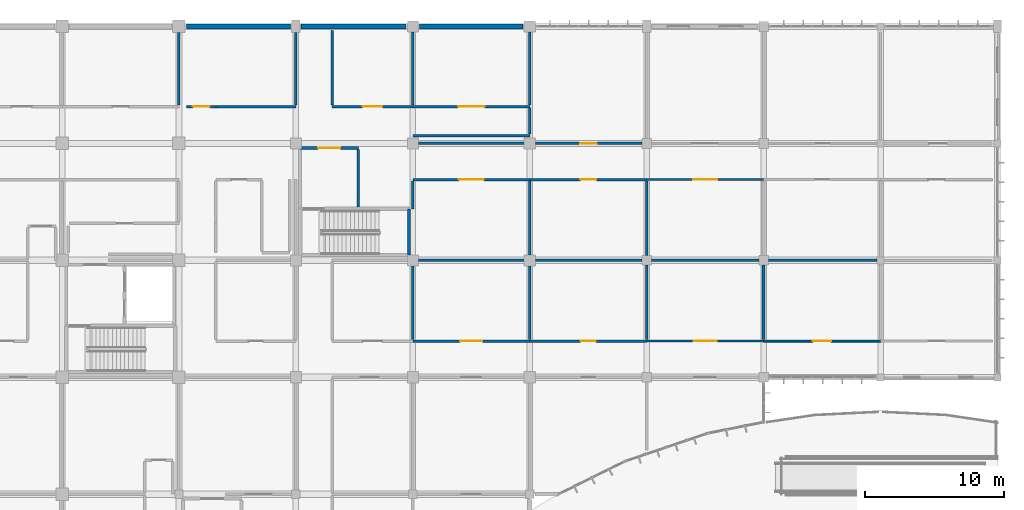
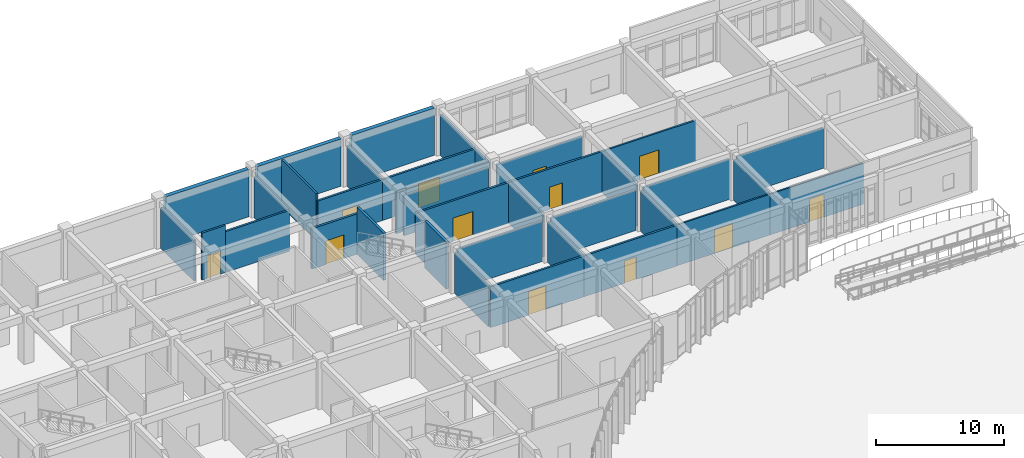
# One storey, part 111 of 138: 37 walls, 12 doors, 12 openings.
"""IFC4 building model written with IfcOpenShell, lengths in metres."""

import ifcopenshell
import ifcopenshell.guid

model = None  # the IFC model being written
_history = None  # IfcOwnerHistory: only IFC2X3 demands one
_inside = {}  # id of a spatial element -> (the spatial element, [elements in it])
_under = {}  # id of a project, library or spatial element -> (it, [spatial elements below it])
_declared = {}  # id of a project -> (the project, [libraries it declares])
_typed = {}  # id of a type object -> (the type object, [elements of that type])
_made_of = {}  # id of a material, layer set ... -> (it, [elements and type objects made of it])


def new_model(schema):
    """Start an empty IFC model of exactly this schema.

    Asked for "IFC4X3", IfcOpenShell would pick the latest addendum, in which some entities
    have other attributes; the version numbers below select the first issue.
    IFC2X3 requires an IfcOwnerHistory on every rooted entity: one is made here for all.
    """
    global model, _history
    if schema == "IFC4X3":
        model = ifcopenshell.file(schema_version=(4, 3, 0, 0))
    else:
        model = ifcopenshell.file(schema=schema)
    _inside.clear()
    _under.clear()
    _declared.clear()
    _typed.clear()
    _made_of.clear()
    _history = None
    if model.schema == "IFC2X3":
        org = make("IfcOrganization", Name="unknown")
        user = make(
            "IfcPersonAndOrganization",
            ThePerson=make("IfcPerson", FamilyName="unknown"),
            TheOrganization=org,
        )
        app = make(
            "IfcApplication",
            ApplicationDeveloper=org,
            Version="unknown",
            ApplicationFullName="unknown",
            ApplicationIdentifier="unknown",
        )
        _history = make(
            "IfcOwnerHistory",
            OwningUser=user,
            OwningApplication=app,
            ChangeAction="ADDED",
            CreationDate=0,
        )
    return model


def make(cls, **values):
    """One entity of the class cls with the attributes given. An attribute that is None is left unset."""
    return model.create_entity(
        cls, **{name: value for name, value in values.items() if value is not None}
    )


def rooted(cls, **values):
    """An entity with a GlobalId (a new one), such as an element, a storey or a relation."""
    return make(cls, GlobalId=ifcopenshell.guid.new(), OwnerHistory=_history, **values)


def si_unit(unit_type, name, prefix=None):
    """IfcSIUnit, for example si_unit("LENGTHUNIT", "METRE", prefix="MILLI")."""
    return make("IfcSIUnit", UnitType=unit_type, Prefix=prefix, Name=name)


def assignment(units):
    """IfcUnitAssignment: the units of a project."""
    return None if units is None else make("IfcUnitAssignment", Units=units)


def point(xyz):
    """IfcCartesianPoint."""
    return None if xyz is None else make("IfcCartesianPoint", Coordinates=xyz)


def direction(xyz):
    """IfcDirection."""
    return None if xyz is None else make("IfcDirection", DirectionRatios=xyz)


def frame(location, z_axis=None, x_axis=None):
    """IfcAxis2Placement3D, a coordinate frame: its origin and axes. An axis left out is left unset."""
    return make(
        "IfcAxis2Placement3D",
        Location=point(location),
        Axis=direction(z_axis),
        RefDirection=direction(x_axis),
    )


def frame_2d(location, x_axis=None):
    """IfcAxis2Placement2D, a coordinate frame in the plane: its origin and x axis."""
    return make(
        "IfcAxis2Placement2D", Location=point(location), RefDirection=direction(x_axis)
    )


def origin():
    """The frame at (0, 0, 0) with its axes left unset."""
    return frame((0.0, 0.0, 0.0))


def place(relative_to, where):
    """IfcLocalPlacement: puts the frame where relative to a parent placement (None: the world)."""
    return make(
        "IfcLocalPlacement", PlacementRelTo=relative_to, RelativePlacement=where
    )


def context(
    kind, dimensions, precision=None, world=None, true_north=None, identifier=None
):
    """IfcGeometricRepresentationContext, for example the 3D "Model" context."""
    return make(
        "IfcGeometricRepresentationContext",
        ContextIdentifier=identifier,
        ContextType=kind,
        CoordinateSpaceDimension=dimensions,
        Precision=precision,
        WorldCoordinateSystem=world,
        TrueNorth=true_north,
    )


def subcontext(parent, identifier, kind, view, scale=None):
    """IfcGeometricRepresentationSubContext, for example "Body" below "Model"."""
    return make(
        "IfcGeometricRepresentationSubContext",
        ContextIdentifier=identifier,
        ContextType=kind,
        ParentContext=parent,
        TargetScale=scale,
        TargetView=view,
    )


def project(units=None, contexts=None):
    """IfcProject with its units and contexts."""
    return rooted(
        "IfcProject",
        Name="project",
        RepresentationContexts=contexts,
        UnitsInContext=assignment(units),
    )


def spatial(cls, under=None, at=None, **own):
    """A site, building, storey or space (cls), placed at a placement, below another one or the project."""
    s = rooted(cls, ObjectPlacement=at, **own)
    if under is not None:
        _under.setdefault(under.id(), (under, []))[1].append(s)
    return s


def profile(cls, at=None, kind="AREA", **sizes):
    """A parametric profile (cls). Its sizes go by their IFC names, for example OverallWidth=200.0."""
    return make(cls, ProfileType=kind, Position=at, **sizes)


def rectangle(**sizes):
    """IfcRectangleProfileDef."""
    return profile("IfcRectangleProfileDef", **sizes)


def extrude(swept, where, along, depth):
    """IfcExtrudedAreaSolid: the profile swept, set in the frame where, extruded along a direction by depth."""
    return make(
        "IfcExtrudedAreaSolid",
        SweptArea=swept,
        Position=where,
        ExtrudedDirection=direction(along),
        Depth=depth,
    )


def shape(context_of_items, identifier, shape_type, items):
    """IfcShapeRepresentation: the items that make up one representation, for example the "Body"."""
    return make(
        "IfcShapeRepresentation",
        ContextOfItems=context_of_items,
        RepresentationIdentifier=identifier,
        RepresentationType=shape_type,
        Items=items,
    )


def material(Name=None, Category=None):
    """IfcMaterial."""
    return make("IfcMaterial", Name=Name, Category=Category)


def layer(
    of_material, thickness, ventilated=None, Name=None, Category=None, Priority=None
):
    """IfcMaterialLayer: one layer of a wall or slab, of a material (None: an air gap)."""
    return make(
        "IfcMaterialLayer",
        Material=of_material,
        LayerThickness=thickness,
        IsVentilated=ventilated,
        Name=Name,
        Category=Category,
        Priority=Priority,
    )


def layer_set(layers, Name=None):
    """IfcMaterialLayerSet."""
    return make("IfcMaterialLayerSet", MaterialLayers=layers, LayerSetName=Name)


def made_of(thing, what):
    """Note that an element or type object is made of a material, layer set ...; save() writes the relation."""
    if what is not None:
        _made_of.setdefault(what.id(), (what, []))[1].append(thing)
    return thing


def type_object(cls, material=None, **own):
    """A type object (cls), such as IfcWallType, which elements share."""
    return made_of(rooted(cls, **own), material)


def element(
    cls,
    number,
    at=None,
    inside=None,
    cuts=None,
    type_object=None,
    material=None,
    context=None,
    identifier="Body",
    shape_type=None,
    held_by="IfcProductDefinitionShape",
    body=None,
    shapes=None,
    **own,
):
    """One element of the class cls, such as IfcWall. Its Tag is "e" and its number.

    at: its placement. inside: the storey or other place that contains it. cuts: it is an
    opening in that element (IfcRelVoidsElement). A single representation is given by context,
    identifier, shape_type and body (its items); several are given by shapes. held_by: the class
    of the entity that holds the representations. save() writes the other relations.
    """
    e = rooted(cls, Tag="e%d" % number, ObjectPlacement=at, **own)
    if body is not None:
        shapes = [shape(context, identifier, shape_type, body)]
    if shapes is not None:
        e.Representation = make(held_by, Representations=shapes)
    if inside is not None:
        _inside.setdefault(inside.id(), (inside, []))[1].append(e)
    if cuts is not None:
        rooted(
            "IfcRelVoidsElement", RelatingBuildingElement=cuts, RelatedOpeningElement=e
        )
    if type_object is not None:
        _typed.setdefault(type_object.id(), (type_object, []))[1].append(e)
    return made_of(e, material)


def fill(opening, filler):
    """IfcRelFillsElement: the door or window that sits in an opening."""
    return rooted(
        "IfcRelFillsElement",
        RelatingOpeningElement=opening,
        RelatedBuildingElement=filler,
    )


def aggregate(whole, parts):
    """IfcRelAggregates: a whole, such as a stair, and the parts it consists of."""
    return rooted("IfcRelAggregates", RelatingObject=whole, RelatedObjects=parts)


def save(model, path):
    """Write the relations noted so far, then the file.

    IfcRelAggregates (storeys below a building ...), IfcRelContainedInSpatialStructure (elements
    in a storey), IfcRelDefinesByType, IfcRelAssociatesMaterial and IfcRelDeclares: one each for
    every whole, place, type object, material and project.
    """
    for whole, parts in _under.values():
        aggregate(whole, parts)
    for where, things in _inside.values():
        rooted(
            "IfcRelContainedInSpatialStructure",
            RelatedElements=things,
            RelatingStructure=where,
        )
    for kind, things in _typed.values():
        rooted("IfcRelDefinesByType", RelatedObjects=things, RelatingType=kind)
    for what, things in _made_of.values():
        rooted("IfcRelAssociatesMaterial", RelatedObjects=things, RelatingMaterial=what)
    for by, libraries in _declared.values():
        rooted("IfcRelDeclares", RelatingContext=by, RelatedDefinitions=libraries)
    model.write(path)


model = new_model("IFC4")

# Units and contexts
model_context = context("Model", 3, precision=1e-05, world=origin(), true_north=direction((0.0, 1.0)))
body_context = subcontext(model_context, "Body", "Model", "MODEL_VIEW")
ifc_project = project(units=[si_unit("LENGTHUNIT", "METRE"), si_unit("AREAUNIT", "SQUARE_METRE"), si_unit("VOLUMEUNIT", "CUBIC_METRE"), si_unit("PLANEANGLEUNIT", "RADIAN"), si_unit("MASSUNIT", "GRAM", prefix="KILO")], contexts=[model_context])

# Site, building, storey
site_placement = place(None, origin())
site = spatial("IfcSite", under=ifc_project, at=site_placement, CompositionType="ELEMENT")
building_placement = place(site_placement, origin())
building = spatial("IfcBuilding", under=site, at=building_placement, Name="Bramfleet General Hospital", CompositionType="ELEMENT")
storey_placement = place(building_placement, origin())
storey = spatial("IfcBuildingStorey", under=building, at=storey_placement, Name="L00", CompositionType="ELEMENT", Elevation=0.0)

# Walls
ifc_material_1 = material(Name="Concrete C35/45", Category="concrete")
ifc_layer_1 = layer(ifc_material_1, 0.360107421875, Name="WT-EW-02")
ifc_layer_set_1 = layer_set([ifc_layer_1], Name="Concrete C35/45")
wall_type_1 = type_object("IfcWallType", Name="WT-EW-02", PredefinedType="SOLIDWALL", material=ifc_layer_set_1)
wall_1_placement = place(storey_placement, frame((126.52490234375, 117.60009765625, 0.0), z_axis=(0.0, 0.0, 1.0), x_axis=(1.0, 0.0, 0.0)))
element("IfcWall", 1, at=wall_1_placement, inside=storey, type_object=wall_type_1, Name="L00 North REI 90-M Party Wall 120", PredefinedType="SOLIDWALL", context=body_context, shape_type="SweptSolid", body=[
    extrude(rectangle(XDim=7.5, YDim=0.360107421875, at=frame_2d((3.75, 0.0))), origin(), (0.0, 0.0, 1.0), 4.5),
])
wall_2_placement = place(storey_placement, frame((134.77490234375, 117.60009765625, 0.0), z_axis=(0.0, 0.0, 1.0), x_axis=(1.0, 0.0, 0.0)))
element("IfcWall", 2, at=wall_2_placement, inside=storey, type_object=wall_type_1, Name="L00 North REI 90-M Party Wall 121", PredefinedType="SOLIDWALL", context=body_context, shape_type="SweptSolid", body=[
    extrude(rectangle(XDim=7.550048828125, YDim=0.360107421875, at=frame_2d((3.77490234375, 0.0))), origin(), (0.0, 0.0, 1.0), 4.5),
])
wall_3_placement = place(storey_placement, frame((143.27490234375, 117.60009765625, 0.0), z_axis=(0.0, 0.0, 1.0), x_axis=(1.0, 0.0, 0.0)))
element("IfcWall", 3, at=wall_3_placement, inside=storey, type_object=wall_type_1, Name="L00 North REI 90-M Party Wall 122", PredefinedType="SOLIDWALL", context=body_context, shape_type="SweptSolid", body=[
    extrude(rectangle(XDim=7.4501953125, YDim=0.360107421875, at=frame_2d((3.72509765625, 0.0))), origin(), (0.0, 0.0, 1.0), 4.5),
])
ifc_layer_2 = layer(ifc_material_1, 0.219970703125, Name="WT-IW-01")
ifc_layer_set_2 = layer_set([ifc_layer_2], Name="Concrete C35/45")
wall_type_2 = type_object("IfcWallType", Name="WT-IW-01", PredefinedType="PARTITIONING", material=ifc_layer_set_2)
wall_4_placement = place(storey_placement, frame((168.0, 95.114990234375, 0.0), z_axis=(0.0, 0.0, 1.0), x_axis=(0.0, 1.0, 0.0)))
element("IfcWall", 4, at=wall_4_placement, inside=storey, type_object=wall_type_2, Name="L00 Interior Partition IW-L00-1189", PredefinedType="PARTITIONING", context=body_context, shape_type="SweptSolid", body=[
    extrude(rectangle(XDim=5.340087890625, YDim=0.219970703125, at=frame_2d((2.669921875, 0.0))), origin(), (0.0, 0.0, 1.0), 3.889892578125),
])
ifc_layer_3 = layer(ifc_material_1, 0.205078125, Name="WT-IW-02")
ifc_layer_set_3 = layer_set([ifc_layer_3], Name="Concrete C35/45")
wall_type_3 = type_object("IfcWallType", Name="WT-IW-02", PredefinedType="PARTITIONING", material=ifc_layer_set_3)
wall_5_placement = place(storey_placement, frame((138.8798828125, 104.639892578125, 0.0), z_axis=(0.0, 0.0, 1.0), x_axis=(0.0, 1.0, 0.0)))
element("IfcWall", 5, at=wall_5_placement, inside=storey, type_object=wall_type_3, Name="L00 C9 Lobby East Shaft Wall", PredefinedType="PARTITIONING", context=body_context, shape_type="SweptSolid", body=[
    extrude(rectangle(XDim=4.1201171875, YDim=0.205078125, at=frame_2d((2.06005859375, 0.0))), origin(), (0.0, 0.0, 1.0), 4.489990234375),
])

# Wall, opening, door
wall_6_placement = place(storey_placement, frame((134.699951171875, 108.8798828125, 0.0), z_axis=(0.0, 0.0, 1.0), x_axis=(1.0, 0.0, 0.0)))
wall_6 = element("IfcWall", 6, at=wall_6_placement, inside=storey, type_object=wall_type_3, Name="L00 C9 Lobby North Compartment Wall", PredefinedType="PARTITIONING", context=body_context, shape_type="SweptSolid", body=[
    extrude(rectangle(XDim=4.179931640625, YDim=0.205078125, at=frame_2d((2.08984375, 0.0))), origin(), (0.0, 0.0, 1.0), 3.840087890625),
])
opening_1_placement = place(wall_6_placement, frame((1.2900390625, 0.0, 0.0)))
opening_1 = element("IfcOpeningElement", 7, at=opening_1_placement, cuts=wall_6, Name="Opening D0110", PredefinedType="OPENING", context=body_context, shape_type="SweptSolid", body=[
    extrude(rectangle(XDim=1.60009765625, YDim=2.25, at=frame_2d((0.800048828125, 1.125))), frame((0.0, 0.112548828125, 0.0), z_axis=(0.0, -1.0, 0.0), x_axis=(1.0, 0.0, 0.0)), (0.0, 0.0, 1.0), 0.22509765625),
])
ifc_material_2 = material(Name="Stainless steel and acoustic timber leaf", Category="steel")
door_type_1 = type_object("IfcDoorType", Name="DR-D-04", OperationType="NOTDEFINED", PredefinedType="DOOR", material=ifc_material_2)
door_1_placement = place(opening_1_placement, origin())
door_1 = element("IfcDoor", 8, at=door_1_placement, inside=storey, type_object=door_type_1, Name="L00 C9 Lobby Fire Door D0110", OperationType="DOUBLE_SWING_LEFT", OverallHeight=2.25, OverallWidth=1.60009765625, PredefinedType="DOOR", context=body_context, shape_type="SweptSolid", body=[
    extrude(rectangle(XDim=1.60009765625, YDim=2.25, at=frame_2d((0.800048828125, 1.125))), frame((0.0, 0.02490234375, 0.0), z_axis=(0.0, -1.0, 0.0), x_axis=(1.0, 0.0, 0.0)), (0.0, 0.0, 1.0), 0.050048828125),
])
fill(opening_1, door_1)

ifc_layer_4 = layer(ifc_material_1, 0.179931640625, Name="WT-IW-04")
ifc_layer_set_4 = layer_set([ifc_layer_4], Name="Concrete C35/45")
wall_type_4 = type_object("IfcWallType", Name="WT-IW-04", PredefinedType="PARTITIONING", material=ifc_layer_set_4)
wall_7_placement = place(storey_placement, frame((142.800048828125, 95.0, 0.0), z_axis=(0.0, 0.0, 1.0), x_axis=(1.0, 0.0, 0.0)))
wall_7 = element("IfcWall", 9, at=wall_7_placement, inside=storey, type_object=wall_type_4, Name="L00 Interior Partition IW-L00-0833", PredefinedType="PARTITIONING", context=body_context, shape_type="SweptSolid", body=[
    extrude(rectangle(XDim=8.39990234375, YDim=0.179931640625, at=frame_2d((4.199951171875, 0.0))), origin(), (0.0, 0.0, 1.0), 3.889892578125),
])
opening_2_placement = place(wall_7_placement, frame((3.39990234375, 0.0, 0.0)))
opening_2 = element("IfcOpeningElement", 10, at=opening_2_placement, cuts=wall_7, Name="Opening D0580", PredefinedType="OPENING", context=body_context, shape_type="SweptSolid", body=[
    extrude(rectangle(XDim=1.60009765625, YDim=2.25, at=frame_2d((0.800048828125, 1.125))), frame((0.0, 0.099853515625, 0.0), z_axis=(0.0, -1.0, 0.0), x_axis=(1.0, 0.0, 0.0)), (0.0, 0.0, 1.0), 0.199951171875),
])
door_2_placement = place(opening_2_placement, origin())
door_2 = element("IfcDoor", 11, at=door_2_placement, inside=storey, type_object=door_type_1, Name="Diagnostic Ultrasound and Fluoroscopy 1711 Door D0580", OperationType="DOUBLE_SWING_LEFT", OverallHeight=2.25, OverallWidth=1.60009765625, PredefinedType="DOOR", context=body_context, shape_type="SweptSolid", body=[
    extrude(rectangle(XDim=1.60009765625, YDim=2.25, at=frame_2d((0.800048828125, 1.125))), frame((0.0, 0.02490234375, 0.0), z_axis=(0.0, -1.0, 0.0), x_axis=(1.0, 0.0, 0.0)), (0.0, 0.0, 1.0), 0.050048828125),
])
fill(opening_2, door_2)

wall_8_placement = place(storey_placement, frame((151.199951171875, 95.0, 0.0), z_axis=(0.0, 0.0, 1.0), x_axis=(1.0, 0.0, 0.0)))
wall_8 = element("IfcWall", 12, at=wall_8_placement, inside=storey, type_object=wall_type_4, Name="L00 Interior Partition IW-L00-0834", PredefinedType="PARTITIONING", context=body_context, shape_type="SweptSolid", body=[
    extrude(rectangle(XDim=8.400146484375, YDim=0.179931640625, at=frame_2d((4.2001953125, 0.0))), origin(), (0.0, 0.0, 1.0), 3.889892578125),
])
opening_3_placement = place(wall_8_placement, frame((3.64990234375, 0.0, 0.0)))
opening_3 = element("IfcOpeningElement", 13, at=opening_3_placement, cuts=wall_8, Name="Opening D0587", PredefinedType="OPENING", context=body_context, shape_type="SweptSolid", body=[
    extrude(rectangle(XDim=1.10009765625, YDim=2.14990234375, at=frame_2d((0.550048828125, 1.074951171875))), frame((0.0, 0.099853515625, 0.0), z_axis=(0.0, -1.0, 0.0), x_axis=(1.0, 0.0, 0.0)), (0.0, 0.0, 1.0), 0.199951171875),
])
door_type_2 = type_object("IfcDoorType", Name="DR-D-11", OperationType="NOTDEFINED", PredefinedType="DOOR", material=ifc_material_2)
door_3_placement = place(opening_3_placement, origin())
door_3 = element("IfcDoor", 14, at=door_3_placement, inside=storey, type_object=door_type_2, Name="Diagnostic Ultrasound and Fluoroscopy 1811 Door D0587", OperationType="SINGLE_SWING_RIGHT", OverallHeight=2.14990234375, OverallWidth=1.10009765625, PredefinedType="DOOR", context=body_context, shape_type="SweptSolid", body=[
    extrude(rectangle(XDim=1.10009765625, YDim=2.14990234375, at=frame_2d((0.550048828125, 1.074951171875))), frame((0.0, 0.02490234375, 0.0), z_axis=(0.0, -1.0, 0.0), x_axis=(1.0, 0.0, 0.0)), (0.0, 0.0, 1.0), 0.050048828125),
])
fill(opening_3, door_3)

# Walls
wall_9_placement = place(storey_placement, frame((143.195068359375, 100.800048828125, 0.0), z_axis=(0.0, 0.0, 1.0), x_axis=(1.0, 0.0, 0.0)))
element("IfcWall", 15, at=wall_9_placement, inside=storey, type_object=wall_type_4, Name="L00 Interior Partition IW-L00-0855", PredefinedType="PARTITIONING", context=body_context, shape_type="SweptSolid", body=[
    extrude(rectangle(XDim=7.60986328125, YDim=0.179931640625, at=frame_2d((3.804931640625, 0.0))), origin(), (0.0, 0.0, 1.0), 3.840087890625),
])
wall_10_placement = place(storey_placement, frame((151.594970703125, 100.800048828125, 0.0), z_axis=(0.0, 0.0, 1.0), x_axis=(1.0, 0.0, 0.0)))
element("IfcWall", 16, at=wall_10_placement, inside=storey, type_object=wall_type_4, Name="L00 Interior Partition IW-L00-0856", PredefinedType="PARTITIONING", context=body_context, shape_type="SweptSolid", body=[
    extrude(rectangle(XDim=7.659912109375, YDim=0.179931640625, at=frame_2d((3.830078125, 0.0))), origin(), (0.0, 0.0, 1.0), 3.840087890625),
])

# Wall, opening, door
wall_11_placement = place(storey_placement, frame((142.800048828125, 106.60009765625, 0.0), z_axis=(0.0, 0.0, 1.0), x_axis=(1.0, 0.0, 0.0)))
wall_11 = element("IfcWall", 17, at=wall_11_placement, inside=storey, type_object=wall_type_4, Name="L00 Interior Partition IW-L00-0880", PredefinedType="PARTITIONING", context=body_context, shape_type="SweptSolid", body=[
    extrude(rectangle(XDim=8.39990234375, YDim=0.179931640625, at=frame_2d((4.199951171875, 0.0))), origin(), (0.0, 0.0, 1.0), 3.889892578125),
])
opening_4_placement = place(wall_11_placement, frame((3.300048828125, 0.0, 0.0)))
opening_4 = element("IfcOpeningElement", 18, at=opening_4_placement, cuts=wall_11, Name="Opening D0581", PredefinedType="OPENING", context=body_context, shape_type="SweptSolid", body=[
    extrude(rectangle(XDim=1.800048828125, YDim=2.25, at=frame_2d((0.89990234375, 1.125))), frame((0.0, 0.099853515625, 0.0), z_axis=(0.0, -1.0, 0.0), x_axis=(1.0, 0.0, 0.0)), (0.0, 0.0, 1.0), 0.199951171875),
])
door_type_3 = type_object("IfcDoorType", Name="DR-D-05", OperationType="NOTDEFINED", PredefinedType="DOOR", material=ifc_material_2)
door_4_placement = place(opening_4_placement, origin())
door_4 = element("IfcDoor", 19, at=door_4_placement, inside=storey, type_object=door_type_3, Name="Diagnostic Ultrasound and Fluoroscopy 1712 Door D0581", OperationType="DOUBLE_SWING_RIGHT", OverallHeight=2.25, OverallWidth=1.800048828125, PredefinedType="DOOR", context=body_context, shape_type="SweptSolid", body=[
    extrude(rectangle(XDim=1.800048828125, YDim=2.25, at=frame_2d((0.89990234375, 1.125))), frame((0.0, 0.02490234375, 0.0), z_axis=(0.0, -1.0, 0.0), x_axis=(1.0, 0.0, 0.0)), (0.0, 0.0, 1.0), 0.050048828125),
])
fill(opening_4, door_4)

wall_12_placement = place(storey_placement, frame((151.199951171875, 106.60009765625, 0.0), z_axis=(0.0, 0.0, 1.0), x_axis=(1.0, 0.0, 0.0)))
wall_12 = element("IfcWall", 20, at=wall_12_placement, inside=storey, type_object=wall_type_4, Name="L00 Interior Partition IW-L00-0881", PredefinedType="PARTITIONING", context=body_context, shape_type="SweptSolid", body=[
    extrude(rectangle(XDim=8.400146484375, YDim=0.179931640625, at=frame_2d((4.2001953125, 0.0))), origin(), (0.0, 0.0, 1.0), 3.889892578125),
])
opening_5_placement = place(wall_12_placement, frame((3.625, 0.0, 0.0)))
opening_5 = element("IfcOpeningElement", 21, at=opening_5_placement, cuts=wall_12, Name="Opening D0588", PredefinedType="OPENING", context=body_context, shape_type="SweptSolid", body=[
    extrude(rectangle(XDim=1.14990234375, YDim=2.14990234375, at=frame_2d((0.574951171875, 1.074951171875))), frame((0.0, 0.099853515625, 0.0), z_axis=(0.0, -1.0, 0.0), x_axis=(1.0, 0.0, 0.0)), (0.0, 0.0, 1.0), 0.199951171875),
])
door_type_4 = type_object("IfcDoorType", Name="DR-D-12", OperationType="NOTDEFINED", PredefinedType="DOOR", material=ifc_material_2)
door_5_placement = place(opening_5_placement, origin())
door_5 = element("IfcDoor", 22, at=door_5_placement, inside=storey, type_object=door_type_4, Name="Diagnostic Ultrasound and Fluoroscopy 1812 Door D0588", OperationType="SINGLE_SWING_LEFT", OverallHeight=2.14990234375, OverallWidth=1.14990234375, PredefinedType="DOOR", context=body_context, shape_type="SweptSolid", body=[
    extrude(rectangle(XDim=1.14990234375, YDim=2.14990234375, at=frame_2d((0.574951171875, 1.074951171875))), frame((0.0, 0.02490234375, 0.0), z_axis=(0.0, -1.0, 0.0), x_axis=(1.0, 0.0, 0.0)), (0.0, 0.0, 1.0), 0.050048828125),
])
fill(opening_5, door_5)

# Wall
wall_13_placement = place(storey_placement, frame((143.195068359375, 109.199951171875, 0.0), z_axis=(0.0, 0.0, 1.0), x_axis=(1.0, 0.0, 0.0)))
element("IfcWall", 23, at=wall_13_placement, inside=storey, type_object=wall_type_4, Name="L00 Interior Partition IW-L00-0897", PredefinedType="PARTITIONING", context=body_context, shape_type="SweptSolid", body=[
    extrude(rectangle(XDim=7.60986328125, YDim=0.179931640625, at=frame_2d((3.804931640625, 0.0))), origin(), (0.0, 0.0, 1.0), 3.840087890625),
])

# Wall, opening, door
wall_14_placement = place(storey_placement, frame((151.594970703125, 109.199951171875, 0.0), z_axis=(0.0, 0.0, 1.0), x_axis=(1.0, 0.0, 0.0)))
wall_14 = element("IfcWall", 24, at=wall_14_placement, inside=storey, type_object=wall_type_4, Name="L00 Interior Partition IW-L00-0898", PredefinedType="PARTITIONING", context=body_context, shape_type="SweptSolid", body=[
    extrude(rectangle(XDim=7.659912109375, YDim=0.179931640625, at=frame_2d((3.830078125, 0.0))), origin(), (0.0, 0.0, 1.0), 3.840087890625),
])
opening_6_placement = place(wall_14_placement, frame((3.22998046875, 0.0, 0.0)))
opening_6 = element("IfcOpeningElement", 25, at=opening_6_placement, cuts=wall_14, Name="Opening D0589", PredefinedType="OPENING", context=body_context, shape_type="SweptSolid", body=[
    extrude(rectangle(XDim=1.199951171875, YDim=2.14990234375, at=frame_2d((0.60009765625, 1.074951171875))), frame((0.0, 0.099853515625, 0.0), z_axis=(0.0, -1.0, 0.0), x_axis=(1.0, 0.0, 0.0)), (0.0, 0.0, 1.0), 0.199951171875),
])
door_type_5 = type_object("IfcDoorType", Name="DR-D-13", OperationType="NOTDEFINED", PredefinedType="DOOR", material=ifc_material_2)
door_6_placement = place(opening_6_placement, origin())
door_6 = element("IfcDoor", 26, at=door_6_placement, inside=storey, type_object=door_type_5, Name="Diagnostic Ultrasound and Fluoroscopy 1813 Door D0589", OperationType="SINGLE_SWING_RIGHT", OverallHeight=2.14990234375, OverallWidth=1.199951171875, PredefinedType="DOOR", context=body_context, shape_type="SweptSolid", body=[
    extrude(rectangle(XDim=1.199951171875, YDim=2.14990234375, at=frame_2d((0.60009765625, 1.074951171875))), frame((0.0, 0.02490234375, 0.0), z_axis=(0.0, -1.0, 0.0), x_axis=(1.0, 0.0, 0.0)), (0.0, 0.0, 1.0), 0.050048828125),
])
fill(opening_6, door_6)

# Wall
wall_15_placement = place(storey_placement, frame((142.800048828125, 109.75, 0.0), z_axis=(0.0, 0.0, 1.0), x_axis=(1.0, 0.0, 0.0)))
element("IfcWall", 27, at=wall_15_placement, inside=storey, type_object=wall_type_4, Name="L00 Interior Partition IW-L00-0902", PredefinedType="PARTITIONING", context=body_context, shape_type="SweptSolid", body=[
    extrude(rectangle(XDim=8.39990234375, YDim=0.179931640625, at=frame_2d((4.199951171875, 0.0))), origin(), (0.0, 0.0, 1.0), 3.889892578125),
])

# Wall, opening, door
wall_16_placement = place(storey_placement, frame((126.550048828125, 111.85009765625, 0.0), z_axis=(0.0, 0.0, 1.0), x_axis=(1.0, 0.0, 0.0)))
wall_16 = element("IfcWall", 28, at=wall_16_placement, inside=storey, type_object=wall_type_4, Name="L00 Interior Partition IW-L00-0908", PredefinedType="PARTITIONING", context=body_context, shape_type="SweptSolid", body=[
    extrude(rectangle(XDim=2.099853515625, YDim=0.179931640625, at=frame_2d((1.0498046875, 0.0))), origin(), (0.0, 0.0, 1.0), 4.489990234375),
])
opening_7_placement = place(wall_16_placement, frame((0.43994140625, 0.0, 0.0)))
opening_7 = element("IfcOpeningElement", 29, at=opening_7_placement, cuts=wall_16, Name="Opening D0567", PredefinedType="OPENING", context=body_context, shape_type="SweptSolid", body=[
    extrude(rectangle(XDim=1.219970703125, YDim=2.179931640625, at=frame_2d((0.60986328125, 1.08984375))), frame((0.0, 0.099853515625, 0.0), z_axis=(0.0, -1.0, 0.0), x_axis=(1.0, 0.0, 0.0)), (0.0, 0.0, 1.0), 0.199951171875),
])
door_type_6 = type_object("IfcDoorType", Name="DR-D-23", OperationType="NOTDEFINED", PredefinedType="DOOR", material=ifc_material_2)
door_7_placement = place(opening_7_placement, origin())
door_7 = element("IfcDoor", 30, at=door_7_placement, inside=storey, type_object=door_type_6, Name="Diagnostic Ultrasound and Fluoroscopy 1513 Door D0567", OperationType="SINGLE_SWING_RIGHT", OverallHeight=2.179931640625, OverallWidth=1.219970703125, PredefinedType="DOOR", context=body_context, shape_type="SweptSolid", body=[
    extrude(rectangle(XDim=1.219970703125, YDim=2.179931640625, at=frame_2d((0.60986328125, 1.08984375))), frame((0.0, 0.02490234375, 0.0), z_axis=(0.0, -1.0, 0.0), x_axis=(1.0, 0.0, 0.0)), (0.0, 0.0, 1.0), 0.050048828125),
])
fill(opening_7, door_7)

# Wall
wall_17_placement = place(storey_placement, frame((128.64990234375, 111.85009765625, 0.0), z_axis=(0.0, 0.0, 1.0), x_axis=(1.0, 0.0, 0.0)))
element("IfcWall", 31, at=wall_17_placement, inside=storey, type_object=wall_type_4, Name="L00 Interior Partition IW-L00-0909", PredefinedType="PARTITIONING", context=body_context, shape_type="SweptSolid", body=[
    extrude(rectangle(XDim=5.75, YDim=0.179931640625, at=frame_2d((2.875, 0.0))), origin(), (0.0, 0.0, 1.0), 3.889892578125),
])

# Wall, opening, door
wall_18_placement = place(storey_placement, frame((137.0, 111.85009765625, 0.0), z_axis=(0.0, 0.0, 1.0), x_axis=(1.0, 0.0, 0.0)))
wall_18 = element("IfcWall", 32, at=wall_18_placement, inside=storey, type_object=wall_type_4, Name="L00 Interior Partition IW-L00-0910", PredefinedType="PARTITIONING", context=body_context, shape_type="SweptSolid", body=[
    extrude(rectangle(XDim=5.800048828125, YDim=0.179931640625, at=frame_2d((2.89990234375, 0.0))), origin(), (0.0, 0.0, 1.0), 3.889892578125),
])
opening_8_placement = place(wall_18_placement, frame((2.18994140625, 0.0, 0.0)))
opening_8 = element("IfcOpeningElement", 33, at=opening_8_placement, cuts=wall_18, Name="Opening D0575", PredefinedType="OPENING", context=body_context, shape_type="SweptSolid", body=[
    extrude(rectangle(XDim=1.419921875, YDim=2.219970703125, at=frame_2d((0.7099609375, 1.10986328125))), frame((0.0, 0.099853515625, 0.0), z_axis=(0.0, -1.0, 0.0), x_axis=(1.0, 0.0, 0.0)), (0.0, 0.0, 1.0), 0.199951171875),
])
door_type_7 = type_object("IfcDoorType", Name="DR-D-31", OperationType="NOTDEFINED", PredefinedType="DOOR", material=ifc_material_2)
door_8_placement = place(opening_8_placement, origin())
door_8 = element("IfcDoor", 34, at=door_8_placement, inside=storey, type_object=door_type_7, Name="Diagnostic Ultrasound and Fluoroscopy 1613 Door D0575", OperationType="SINGLE_SWING_RIGHT", OverallHeight=2.219970703125, OverallWidth=1.419921875, PredefinedType="DOOR", context=body_context, shape_type="SweptSolid", body=[
    extrude(rectangle(XDim=1.419921875, YDim=2.219970703125, at=frame_2d((0.7099609375, 1.10986328125))), frame((0.0, 0.02490234375, 0.0), z_axis=(0.0, -1.0, 0.0), x_axis=(1.0, 0.0, 0.0)), (0.0, 0.0, 1.0), 0.050048828125),
])
fill(opening_8, door_8)

wall_19_placement = place(storey_placement, frame((142.800048828125, 111.85009765625, 0.0), z_axis=(0.0, 0.0, 1.0), x_axis=(1.0, 0.0, 0.0)))
wall_19 = element("IfcWall", 35, at=wall_19_placement, inside=storey, type_object=wall_type_4, Name="L00 Interior Partition IW-L00-0911", PredefinedType="PARTITIONING", context=body_context, shape_type="SweptSolid", body=[
    extrude(rectangle(XDim=8.39990234375, YDim=0.179931640625, at=frame_2d((4.199951171875, 0.0))), origin(), (0.0, 0.0, 1.0), 3.889892578125),
])
opening_9_placement = place(wall_19_placement, frame((3.25, 0.0, 0.0)))
opening_9 = element("IfcOpeningElement", 36, at=opening_9_placement, cuts=wall_19, Name="Opening D0582", PredefinedType="OPENING", context=body_context, shape_type="SweptSolid", body=[
    extrude(rectangle(XDim=1.89990234375, YDim=2.300048828125, at=frame_2d((0.949951171875, 1.14990234375))), frame((0.0, 0.099853515625, 0.0), z_axis=(0.0, -1.0, 0.0), x_axis=(1.0, 0.0, 0.0)), (0.0, 0.0, 1.0), 0.199951171875),
])
door_type_8 = type_object("IfcDoorType", Name="DR-D-06", OperationType="NOTDEFINED", PredefinedType="DOOR", material=ifc_material_2)
door_9_placement = place(opening_9_placement, origin())
door_9 = element("IfcDoor", 37, at=door_9_placement, inside=storey, type_object=door_type_8, Name="Diagnostic Ultrasound and Fluoroscopy 1713 Door D0582", OperationType="DOUBLE_SWING_LEFT", OverallHeight=2.300048828125, OverallWidth=1.89990234375, PredefinedType="DOOR", context=body_context, shape_type="SweptSolid", body=[
    extrude(rectangle(XDim=1.89990234375, YDim=2.300048828125, at=frame_2d((0.949951171875, 1.14990234375))), frame((0.0, 0.02490234375, 0.0), z_axis=(0.0, -1.0, 0.0), x_axis=(1.0, 0.0, 0.0)), (0.0, 0.0, 1.0), 0.050048828125),
])
fill(opening_9, door_9)

# Walls
for number, where, z_axis, x_axis, name in (
    (38, (126.0, 111.965087890625, 0.0), (0.0, 0.0, 1.0), (0.0, 1.0, 0.0), "L00 Interior Partition IW-L00-1140"),
    (39, (134.39990234375, 111.965087890625, 0.0), (0.0, 0.0, 1.0), (0.0, 1.0, 0.0), "L00 Interior Partition IW-L00-1153"),
):
    element("IfcWall", number, at=place(storey_placement, frame(where, z_axis=z_axis, x_axis=x_axis)), inside=storey, type_object=wall_type_4, Name=name, PredefinedType="PARTITIONING", context=body_context, shape_type="SweptSolid", body=[
        extrude(rectangle(XDim=5.18994140625, YDim=0.179931640625, at=frame_2d((2.594970703125, 0.0))), origin(), (0.0, 0.0, 1.0), 3.889892578125),
    ])
wall_20_placement = place(storey_placement, frame((137.0, 111.965087890625, 0.0), z_axis=(0.0, 0.0, 1.0), x_axis=(0.0, 1.0, 0.0)))
element("IfcWall", 40, at=wall_20_placement, inside=storey, type_object=wall_type_4, Name="L00 Interior Partition IW-L00-1160", PredefinedType="PARTITIONING", context=body_context, shape_type="SweptSolid", body=[
    extrude(rectangle(XDim=5.35498046875, YDim=0.179931640625, at=frame_2d((2.677490234375, 0.0))), origin(), (0.0, 0.0, 1.0), 4.489990234375),
])
wall_21_placement = place(storey_placement, frame((142.800048828125, 95.114990234375, 0.0), z_axis=(0.0, 0.0, 1.0), x_axis=(0.0, 1.0, 0.0)))
element("IfcWall", 41, at=wall_21_placement, inside=storey, type_object=wall_type_4, Name="L00 Interior Partition IW-L00-1168", PredefinedType="PARTITIONING", context=body_context, shape_type="SweptSolid", body=[
    extrude(rectangle(XDim=5.2900390625, YDim=0.179931640625, at=frame_2d((2.64501953125, 0.0))), origin(), (0.0, 0.0, 1.0), 3.889892578125),
])
wall_22_placement = place(storey_placement, frame((142.800048828125, 104.5, 0.0), z_axis=(0.0, 0.0, 1.0), x_axis=(0.0, 1.0, 0.0)))
element("IfcWall", 42, at=wall_22_placement, inside=storey, type_object=wall_type_4, Name="L00 Interior Partition IW-L00-1169", PredefinedType="PARTITIONING", context=body_context, shape_type="SweptSolid", body=[
    extrude(rectangle(XDim=1.985107421875, YDim=0.179931640625, at=frame_2d((0.99267578125, 0.0))), origin(), (0.0, 0.0, 1.0), 3.889892578125),
])
wall_23_placement = place(storey_placement, frame((142.800048828125, 111.965087890625, 0.0), z_axis=(0.0, 0.0, 1.0), x_axis=(0.0, 1.0, 0.0)))
element("IfcWall", 43, at=wall_23_placement, inside=storey, type_object=wall_type_4, Name="L00 Interior Partition IW-L00-1170", PredefinedType="PARTITIONING", context=body_context, shape_type="SweptSolid", body=[
    extrude(rectangle(XDim=5.239990234375, YDim=0.179931640625, at=frame_2d((2.6201171875, 0.0))), origin(), (0.0, 0.0, 1.0), 3.889892578125),
])
for number, where, z_axis, x_axis, name in (
    (44, (151.199951171875, 95.114990234375, 0.0), (0.0, 0.0, 1.0), (0.0, 1.0, 0.0), "L00 Interior Partition IW-L00-1175"),
    (45, (151.199951171875, 101.195068359375, 0.0), (0.0, 0.0, 1.0), (0.0, 1.0, 0.0), "L00 Interior Partition IW-L00-1176"),
):
    element("IfcWall", number, at=place(storey_placement, frame(where, z_axis=z_axis, x_axis=x_axis)), inside=storey, type_object=wall_type_4, Name=name, PredefinedType="PARTITIONING", context=body_context, shape_type="SweptSolid", body=[
        extrude(rectangle(XDim=5.2900390625, YDim=0.179931640625, at=frame_2d((2.64501953125, 0.0))), origin(), (0.0, 0.0, 1.0), 3.889892578125),
    ])
wall_24_placement = place(storey_placement, frame((151.199951171875, 109.864990234375, 0.0), z_axis=(0.0, 0.0, 1.0), x_axis=(0.0, 1.0, 0.0)))
element("IfcWall", 46, at=wall_24_placement, inside=storey, type_object=wall_type_4, Name="L00 Interior Partition IW-L00-1177", PredefinedType="PARTITIONING", context=body_context, shape_type="SweptSolid", body=[
    extrude(rectangle(XDim=1.8701171875, YDim=0.179931640625, at=frame_2d((0.93505859375, 0.0))), origin(), (0.0, 0.0, 1.0), 3.889892578125),
])
wall_25_placement = place(storey_placement, frame((151.199951171875, 111.965087890625, 0.0), z_axis=(0.0, 0.0, 1.0), x_axis=(0.0, 1.0, 0.0)))
element("IfcWall", 47, at=wall_25_placement, inside=storey, type_object=wall_type_4, Name="L00 Interior Partition IW-L00-1178", PredefinedType="PARTITIONING", context=body_context, shape_type="SweptSolid", body=[
    extrude(rectangle(XDim=5.239990234375, YDim=0.179931640625, at=frame_2d((2.6201171875, 0.0))), origin(), (0.0, 0.0, 1.0), 3.889892578125),
])
for number, where, z_axis, x_axis, name in (
    (48, (159.60009765625, 95.114990234375, 0.0), (0.0, 0.0, 1.0), (0.0, 1.0, 0.0), "L00 Interior Partition IW-L00-1183"),
    (49, (159.60009765625, 101.14501953125, 0.0), (0.0, 0.0, 1.0), (0.0, 1.0, 0.0), "L00 Interior Partition IW-L00-1184"),
):
    element("IfcWall", number, at=place(storey_placement, frame(where, z_axis=z_axis, x_axis=x_axis)), inside=storey, type_object=wall_type_4, Name=name, PredefinedType="PARTITIONING", context=body_context, shape_type="SweptSolid", body=[
        extrude(rectangle(XDim=5.340087890625, YDim=0.179931640625, at=frame_2d((2.669921875, 0.0))), origin(), (0.0, 0.0, 1.0), 3.889892578125),
    ])
ifc_material_3 = material(Name="Gypsum plasterboard on acoustic steel studs", Category="steel")
ifc_layer_5 = layer(ifc_material_3, 0.169921875, Name="WT-IW-05")
ifc_layer_set_5 = layer_set([ifc_layer_5], Name="Gypsum plasterboard on acoustic steel studs")
wall_type_5 = type_object("IfcWallType", Name="WT-IW-05", PredefinedType="PARTITIONING", material=ifc_layer_set_5)
wall_26_placement = place(storey_placement, frame((159.945068359375, 100.800048828125, 0.0), z_axis=(0.0, 0.0, 1.0), x_axis=(1.0, 0.0, 0.0)))
element("IfcWall", 50, at=wall_26_placement, inside=storey, type_object=wall_type_5, Name="L00 Interior Partition IW-L00-0857", PredefinedType="PARTITIONING", context=body_context, shape_type="SweptSolid", body=[
    extrude(rectangle(XDim=7.7099609375, YDim=0.169921875, at=frame_2d((3.85498046875, 0.0))), origin(), (0.0, 0.0, 1.0), 3.840087890625),
])
ifc_layer_6 = layer(ifc_material_3, 0.159912109375, Name="WT-IW-06")
ifc_layer_set_6 = layer_set([ifc_layer_6], Name="Gypsum plasterboard on acoustic steel studs")
wall_type_6 = type_object("IfcWallType", Name="WT-IW-06", PredefinedType="PARTITIONING", material=ifc_layer_set_6)
wall_27_placement = place(storey_placement, frame((168.344970703125, 100.800048828125, 0.0), z_axis=(0.0, 0.0, 1.0), x_axis=(1.0, 0.0, 0.0)))
element("IfcWall", 51, at=wall_27_placement, inside=storey, type_object=wall_type_6, Name="L00 Interior Partition IW-L00-0858", PredefinedType="PARTITIONING", context=body_context, shape_type="SweptSolid", body=[
    extrude(rectangle(XDim=7.81005859375, YDim=0.159912109375, at=frame_2d((3.905029296875, 0.0))), origin(), (0.0, 0.0, 1.0), 3.840087890625),
])

# Wall, opening, door
wall_28_placement = place(storey_placement, frame((159.60009765625, 106.60009765625, 0.0), z_axis=(0.0, 0.0, 1.0), x_axis=(1.0, 0.0, 0.0)))
wall_28 = element("IfcWall", 52, at=wall_28_placement, inside=storey, type_object=wall_type_6, Name="L00 Interior Partition IW-L00-0882", PredefinedType="PARTITIONING", context=body_context, shape_type="SweptSolid", body=[
    extrude(rectangle(XDim=8.39990234375, YDim=0.159912109375, at=frame_2d((4.199951171875, 0.0))), origin(), (0.0, 0.0, 1.0), 3.889892578125),
])
opening_10_placement = place(wall_28_placement, frame((3.330078125, 0.0, 0.0)))
opening_10 = element("IfcOpeningElement", 53, at=opening_10_placement, cuts=wall_28, Name="Opening D0595", PredefinedType="OPENING", context=body_context, shape_type="SweptSolid", body=[
    extrude(rectangle(XDim=1.739990234375, YDim=2.239990234375, at=frame_2d((0.8701171875, 1.1201171875))), frame((0.0, 0.08984375, 0.0), z_axis=(0.0, -1.0, 0.0), x_axis=(1.0, 0.0, 0.0)), (0.0, 0.0, 1.0), 0.179931640625),
])
door_type_9 = type_object("IfcDoorType", Name="DR-D-19", OperationType="NOTDEFINED", PredefinedType="DOOR", material=ifc_material_2)
door_10_placement = place(opening_10_placement, origin())
door_10 = element("IfcDoor", 54, at=door_10_placement, inside=storey, type_object=door_type_9, Name="Hospital Clean Logistics Loading Bay 1912 Door D0595", OperationType="DOUBLE_SWING_RIGHT", OverallHeight=2.239990234375, OverallWidth=1.739990234375, PredefinedType="DOOR", context=body_context, shape_type="SweptSolid", body=[
    extrude(rectangle(XDim=1.739990234375, YDim=2.239990234375, at=frame_2d((0.8701171875, 1.1201171875))), frame((0.0, 0.02490234375, 0.0), z_axis=(0.0, -1.0, 0.0), x_axis=(1.0, 0.0, 0.0)), (0.0, 0.0, 1.0), 0.050048828125),
])
fill(opening_10, door_10)

ifc_layer_7 = layer(ifc_material_3, 0.14990234375, Name="WT-IW-07")
ifc_layer_set_7 = layer_set([ifc_layer_7], Name="Gypsum plasterboard on acoustic steel studs")
wall_type_7 = type_object("IfcWallType", Name="WT-IW-07", PredefinedType="PARTITIONING", material=ifc_layer_set_7)
wall_29_placement = place(storey_placement, frame((159.60009765625, 95.0, 0.0), z_axis=(0.0, 0.0, 1.0), x_axis=(1.0, 0.0, 0.0)))
wall_29 = element("IfcWall", 55, at=wall_29_placement, inside=storey, type_object=wall_type_7, Name="L00 Interior Partition IW-L00-0835", PredefinedType="PARTITIONING", context=body_context, shape_type="SweptSolid", body=[
    extrude(rectangle(XDim=8.39990234375, YDim=0.14990234375, at=frame_2d((4.199951171875, 0.0))), origin(), (0.0, 0.0, 1.0), 3.889892578125),
])
opening_11_placement = place(wall_29_placement, frame((3.3798828125, 0.0, 0.0)))
opening_11 = element("IfcOpeningElement", 56, at=opening_11_placement, cuts=wall_29, Name="Opening D0594", PredefinedType="OPENING", context=body_context, shape_type="SweptSolid", body=[
    extrude(rectangle(XDim=1.639892578125, YDim=2.280029296875, at=frame_2d((0.81982421875, 1.14013671875))), frame((0.0, 0.0849609375, 0.0), z_axis=(0.0, -1.0, 0.0), x_axis=(1.0, 0.0, 0.0)), (0.0, 0.0, 1.0), 0.169921875),
])
door_type_10 = type_object("IfcDoorType", Name="DR-D-18", OperationType="NOTDEFINED", PredefinedType="DOOR", material=ifc_material_2)
door_11_placement = place(opening_11_placement, origin())
door_11 = element("IfcDoor", 57, at=door_11_placement, inside=storey, type_object=door_type_10, Name="Hospital Clean Logistics Loading Bay 1911 Door D0594", OperationType="DOUBLE_SWING_LEFT", OverallHeight=2.280029296875, OverallWidth=1.639892578125, PredefinedType="DOOR", context=body_context, shape_type="SweptSolid", body=[
    extrude(rectangle(XDim=1.639892578125, YDim=2.280029296875, at=frame_2d((0.81982421875, 1.14013671875))), frame((0.0, 0.02490234375, 0.0), z_axis=(0.0, -1.0, 0.0), x_axis=(1.0, 0.0, 0.0)), (0.0, 0.0, 1.0), 0.050048828125),
])
fill(opening_11, door_11)

ifc_layer_8 = layer(ifc_material_3, 0.139892578125, Name="WT-IW-08")
ifc_layer_set_8 = layer_set([ifc_layer_8], Name="Gypsum plasterboard on acoustic steel studs")
wall_type_8 = type_object("IfcWallType", Name="WT-IW-08", PredefinedType="PARTITIONING", material=ifc_layer_set_8)
wall_30_placement = place(storey_placement, frame((168.0, 95.0, 0.0), z_axis=(0.0, 0.0, 1.0), x_axis=(1.0, 0.0, 0.0)))
wall_30 = element("IfcWall", 58, at=wall_30_placement, inside=storey, type_object=wall_type_8, Name="L00 Interior Partition IW-L00-0836", PredefinedType="PARTITIONING", context=body_context, shape_type="SweptSolid", body=[
    extrude(rectangle(XDim=8.39990234375, YDim=0.139892578125, at=frame_2d((4.199951171875, 0.0))), origin(), (0.0, 0.0, 1.0), 3.889892578125),
])
opening_12_placement = place(wall_30_placement, frame((3.5400390625, 0.0, 0.0)))
opening_12 = element("IfcOpeningElement", 59, at=opening_12_placement, cuts=wall_30, Name="Opening D0600", PredefinedType="OPENING", context=body_context, shape_type="SweptSolid", body=[
    extrude(rectangle(XDim=1.320068359375, YDim=2.179931640625, at=frame_2d((0.66015625, 1.08984375))), frame((0.0, 0.079833984375, 0.0), z_axis=(0.0, -1.0, 0.0), x_axis=(1.0, 0.0, 0.0)), (0.0, 0.0, 1.0), 0.159912109375),
])
door_type_11 = type_object("IfcDoorType", Name="DR-D-24", OperationType="NOTDEFINED", PredefinedType="DOOR", material=ifc_material_2)
door_12_placement = place(opening_12_placement, origin())
door_12 = element("IfcDoor", 60, at=door_12_placement, inside=storey, type_object=door_type_11, Name="Hospital Clean Logistics Loading Bay 2011 Door D0600", OperationType="SINGLE_SWING_LEFT", OverallHeight=2.179931640625, OverallWidth=1.320068359375, PredefinedType="DOOR", context=body_context, shape_type="SweptSolid", body=[
    extrude(rectangle(XDim=1.320068359375, YDim=2.179931640625, at=frame_2d((0.66015625, 1.08984375))), frame((0.0, 0.02490234375, 0.0), z_axis=(0.0, -1.0, 0.0), x_axis=(1.0, 0.0, 0.0)), (0.0, 0.0, 1.0), 0.050048828125),
])
fill(opening_12, door_12)

# Wall
ifc_material_4 = material(Name="Concrete C40/50", Category="concrete")
ifc_layer_9 = layer(ifc_material_4, 0.239990234375, Name="WT-SW-240")
ifc_layer_set_9 = layer_set([ifc_layer_9], Name="Concrete C40/50")
wall_type_9 = type_object("IfcWallType", Name="WT-SW-240", PredefinedType="SHEAR", material=ifc_layer_set_9)
wall_31_placement = place(storey_placement, frame((142.52001953125, 101.179931640625, 0.0), z_axis=(0.0, 0.0, 1.0), x_axis=(0.0, 1.0, 0.0)))
element("IfcWall", 61, at=wall_31_placement, inside=storey, type_object=wall_type_9, Name="L00 C9 East Stair Shear Wall", PredefinedType="SHEAR", context=body_context, shape_type="SweptSolid", body=[
    extrude(rectangle(XDim=3.320068359375, YDim=0.239990234375, at=frame_2d((1.66015625, 0.0))), origin(), (0.0, 0.0, 1.0), 4.5),
])

save(model, "model.ifc")
